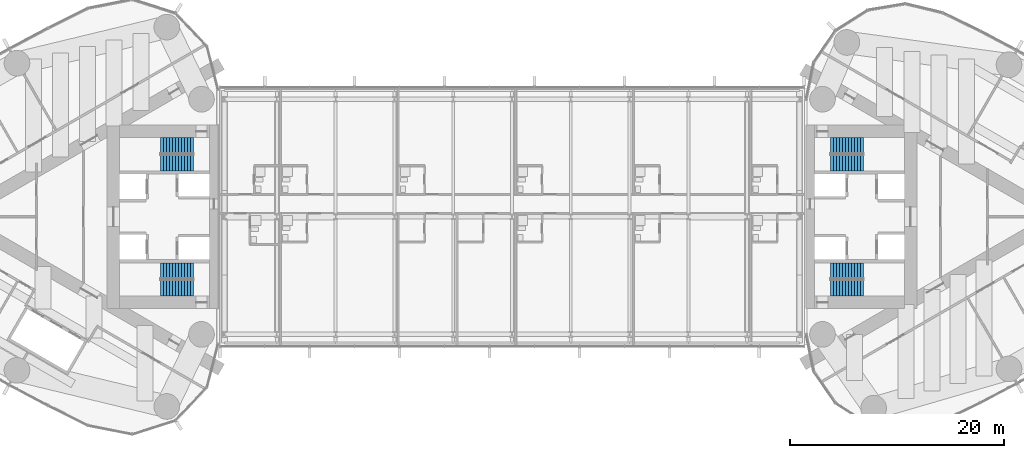
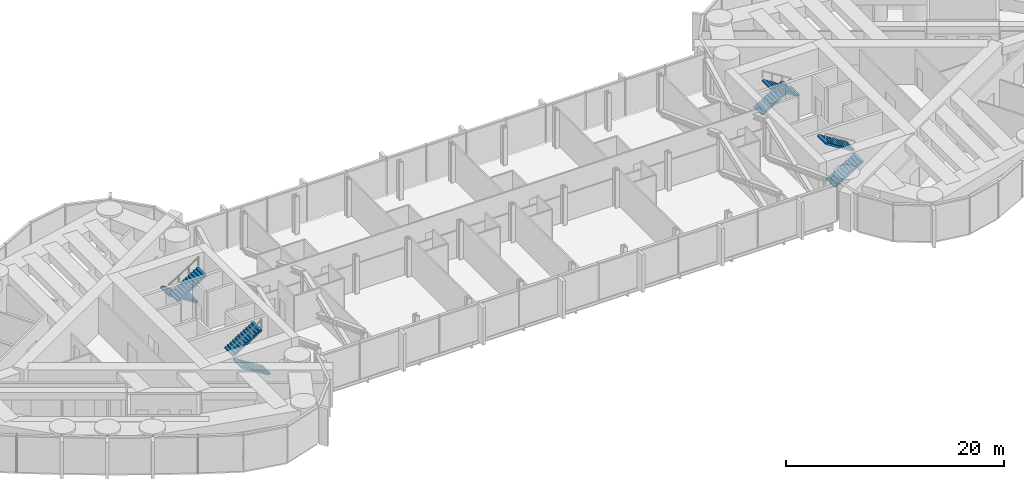
# One storey, part 21 of 23: 8 stair flights, 4 elements without a shape of their own.
"""IFC4 building model written with IfcOpenShell, lengths in metres."""

from ifc_helpers import new_model, si_unit, direction, frame, origin, place, context, subcontext, project, spatial, polyline, outline, extrude, material, type_object, element, aggregate, save


model = new_model("IFC4")

# Units and contexts
model_context = context("Model", 3, precision=1e-05, world=origin(), true_north=direction((0.0, 1.0)))
body_context = subcontext(model_context, "Body", "Model", "MODEL_VIEW")
ifc_project = project(units=[si_unit("LENGTHUNIT", "METRE"), si_unit("AREAUNIT", "SQUARE_METRE"), si_unit("VOLUMEUNIT", "CUBIC_METRE"), si_unit("PLANEANGLEUNIT", "RADIAN"), si_unit("MASSUNIT", "GRAM", prefix="KILO")], contexts=[model_context])

# Site, building, storey
site_placement = place(None, origin())
site = spatial("IfcSite", under=ifc_project, at=site_placement, CompositionType="ELEMENT")
building_placement = place(site_placement, origin())
building = spatial("IfcBuilding", under=site, at=building_placement, Name="Lancet Gate Hotel", CompositionType="ELEMENT")
storey_placement = place(building_placement, frame((0.0, 0.0, 247.699951171875)))
storey = spatial("IfcBuildingStorey", under=building, at=storey_placement, Name="L66", CompositionType="ELEMENT", Elevation=247.699951171875)

# Stair, stair flights
ifc_material_1 = material(Name="Exit stair 24 risers 1500")
stair_type = type_object("IfcStairType", Name="Exit stair 24 risers 1500", PredefinedType="HALF_TURN_STAIR", material=ifc_material_1)
stair_1_placement = place(storey_placement, origin())
stair_1 = element("IfcStair", 1, at=stair_1_placement, inside=storey, type_object=stair_type, Name="T1 stair 1 L66", PredefinedType="HALF_TURN_STAIR")
ifc_material_2 = material(Name="Stair flight 12 risers 175 rise 1500")
stair_flight_type = type_object("IfcStairFlightType", Name="Stair flight 12 risers 175 rise 1500", PredefinedType="STRAIGHT", material=ifc_material_2)
stair_flight_1_placement = place(storey_placement, frame((-29.800048828125, 6.64990234375, 0.0), z_axis=(0.0, 0.0, 1.0), x_axis=(-1.0, 0.0, 0.0)))
stair_flight_1 = element("IfcStairFlight", 2, at=stair_flight_1_placement, type_object=stair_flight_type, Name="ST1 flight 1", NumberOfRisers=12, NumberOfTreads=11, PredefinedType="STRAIGHT", RiserHeight=0.175, TreadLength=0.28, context=body_context, shape_type="SweptSolid", body=[
    extrude(outline(polyline([(0.0, 0.0), (0.0, 0.175048828125), (0.280029296875, 0.175048828125), (0.280029296875, 0.35009765625), (0.56005859375, 0.35009765625), (0.56005859375, 0.52490234375), (0.840087890625, 0.52490234375), (0.840087890625, 0.699951171875), (1.1201171875, 0.699951171875), (1.1201171875, 0.875), (1.39990234375, 0.875), (1.39990234375, 1.050048828125), (1.679931640625, 1.050048828125), (1.679931640625, 1.22509765625), (1.9599609375, 1.22509765625), (1.9599609375, 1.39990234375), (2.239990234375, 1.39990234375), (2.239990234375, 1.574951171875), (2.52001953125, 1.574951171875), (2.52001953125, 1.75), (2.800048828125, 1.75), (2.800048828125, 1.925048828125), (3.080078125, 1.925048828125), (3.080078125, 2.10009765625), (3.080078125, 1.748291015625), (0.28271484375, 0.0), (0.0, 0.0)])), frame((0.0, 0.75, 0.0), z_axis=(0.0, -1.0, 0.0), x_axis=(1.0, 0.0, 0.0)), (0.0, 0.0, 1.0), 1.5),
])
stair_flight_2_placement = place(storey_placement, frame((-32.8798828125, 5.050048828125, 2.10009765625), z_axis=(0.0, 0.0, 1.0), x_axis=(1.0, 0.0, 0.0)))
stair_flight_2 = element("IfcStairFlight", 3, at=stair_flight_2_placement, type_object=stair_flight_type, Name="ST1 flight 2", NumberOfRisers=12, NumberOfTreads=11, PredefinedType="STRAIGHT", RiserHeight=0.175, TreadLength=0.28, context=body_context, shape_type="SweptSolid", body=[
    extrude(outline(polyline([(0.0, 0.0), (0.0, 0.175048828125), (0.280029296875, 0.175048828125), (0.280029296875, 0.35009765625), (0.56005859375, 0.35009765625), (0.56005859375, 0.52490234375), (0.840087890625, 0.52490234375), (0.840087890625, 0.699951171875), (1.1201171875, 0.699951171875), (1.1201171875, 0.875), (1.39990234375, 0.875), (1.39990234375, 1.050048828125), (1.679931640625, 1.050048828125), (1.679931640625, 1.22509765625), (1.9599609375, 1.22509765625), (1.9599609375, 1.39990234375), (2.239990234375, 1.39990234375), (2.239990234375, 1.574951171875), (2.52001953125, 1.574951171875), (2.52001953125, 1.75), (2.800048828125, 1.75), (2.800048828125, 1.925048828125), (3.080078125, 1.925048828125), (3.080078125, 2.10009765625), (3.080078125, 1.748291015625), (0.28271484375, 0.0), (0.0, 0.0)])), frame((0.0, 0.75, 0.0), z_axis=(0.0, -1.0, 0.0), x_axis=(1.0, 0.0, 0.0)), (0.0, 0.0, 1.0), 1.5),
])
aggregate(stair_1, [stair_flight_1, stair_flight_2])

stair_2_placement = place(storey_placement, origin())
stair_2 = element("IfcStair", 4, at=stair_2_placement, inside=storey, type_object=stair_type, Name="T1 stair 2 L66", PredefinedType="HALF_TURN_STAIR")
stair_flight_3_placement = place(storey_placement, frame((-29.800048828125, -6.64990234375, 0.0), z_axis=(0.0, 0.0, 1.0), x_axis=(-1.0, 0.0, 0.0)))
stair_flight_3 = element("IfcStairFlight", 5, at=stair_flight_3_placement, type_object=stair_flight_type, Name="ST2 flight 1", NumberOfRisers=12, NumberOfTreads=11, PredefinedType="STRAIGHT", RiserHeight=0.175, TreadLength=0.28, context=body_context, shape_type="SweptSolid", body=[
    extrude(outline(polyline([(0.0, 0.0), (0.0, 0.175048828125), (0.280029296875, 0.175048828125), (0.280029296875, 0.35009765625), (0.56005859375, 0.35009765625), (0.56005859375, 0.52490234375), (0.840087890625, 0.52490234375), (0.840087890625, 0.699951171875), (1.1201171875, 0.699951171875), (1.1201171875, 0.875), (1.39990234375, 0.875), (1.39990234375, 1.050048828125), (1.679931640625, 1.050048828125), (1.679931640625, 1.22509765625), (1.9599609375, 1.22509765625), (1.9599609375, 1.39990234375), (2.239990234375, 1.39990234375), (2.239990234375, 1.574951171875), (2.52001953125, 1.574951171875), (2.52001953125, 1.75), (2.800048828125, 1.75), (2.800048828125, 1.925048828125), (3.080078125, 1.925048828125), (3.080078125, 2.10009765625), (3.080078125, 1.748291015625), (0.28271484375, 0.0), (0.0, 0.0)])), frame((0.0, 0.75, 0.0), z_axis=(0.0, -1.0, 0.0), x_axis=(1.0, 0.0, 0.0)), (0.0, 0.0, 1.0), 1.5),
])
stair_flight_4_placement = place(storey_placement, frame((-32.8798828125, -5.050048828125, 2.10009765625), z_axis=(0.0, 0.0, 1.0), x_axis=(1.0, 0.0, 0.0)))
stair_flight_4 = element("IfcStairFlight", 6, at=stair_flight_4_placement, type_object=stair_flight_type, Name="ST2 flight 2", NumberOfRisers=12, NumberOfTreads=11, PredefinedType="STRAIGHT", RiserHeight=0.175, TreadLength=0.28, context=body_context, shape_type="SweptSolid", body=[
    extrude(outline(polyline([(0.0, 0.0), (0.0, 0.175048828125), (0.280029296875, 0.175048828125), (0.280029296875, 0.35009765625), (0.56005859375, 0.35009765625), (0.56005859375, 0.52490234375), (0.840087890625, 0.52490234375), (0.840087890625, 0.699951171875), (1.1201171875, 0.699951171875), (1.1201171875, 0.875), (1.39990234375, 0.875), (1.39990234375, 1.050048828125), (1.679931640625, 1.050048828125), (1.679931640625, 1.22509765625), (1.9599609375, 1.22509765625), (1.9599609375, 1.39990234375), (2.239990234375, 1.39990234375), (2.239990234375, 1.574951171875), (2.52001953125, 1.574951171875), (2.52001953125, 1.75), (2.800048828125, 1.75), (2.800048828125, 1.925048828125), (3.080078125, 1.925048828125), (3.080078125, 2.10009765625), (3.080078125, 1.748291015625), (0.28271484375, 0.0), (0.0, 0.0)])), frame((0.0, 0.75, 0.0), z_axis=(0.0, -1.0, 0.0), x_axis=(1.0, 0.0, 0.0)), (0.0, 0.0, 1.0), 1.5),
])
aggregate(stair_2, [stair_flight_3, stair_flight_4])

stair_3_placement = place(storey_placement, origin())
stair_3 = element("IfcStair", 7, at=stair_3_placement, inside=storey, type_object=stair_type, Name="T2 stair 1 L66", PredefinedType="HALF_TURN_STAIR")
stair_flight_5_placement = place(storey_placement, frame((29.800048828125, -6.64990234375, 0.0), z_axis=(0.0, 0.0, 1.0), x_axis=(1.0, 0.0, 0.0)))
stair_flight_5 = element("IfcStairFlight", 8, at=stair_flight_5_placement, type_object=stair_flight_type, Name="ST3 flight 1", NumberOfRisers=12, NumberOfTreads=11, PredefinedType="STRAIGHT", RiserHeight=0.175, TreadLength=0.28, context=body_context, shape_type="SweptSolid", body=[
    extrude(outline(polyline([(0.0, 0.0), (0.0, 0.175048828125), (0.280029296875, 0.175048828125), (0.280029296875, 0.35009765625), (0.56005859375, 0.35009765625), (0.56005859375, 0.52490234375), (0.840087890625, 0.52490234375), (0.840087890625, 0.699951171875), (1.1201171875, 0.699951171875), (1.1201171875, 0.875), (1.39990234375, 0.875), (1.39990234375, 1.050048828125), (1.679931640625, 1.050048828125), (1.679931640625, 1.22509765625), (1.9599609375, 1.22509765625), (1.9599609375, 1.39990234375), (2.239990234375, 1.39990234375), (2.239990234375, 1.574951171875), (2.52001953125, 1.574951171875), (2.52001953125, 1.75), (2.800048828125, 1.75), (2.800048828125, 1.925048828125), (3.080078125, 1.925048828125), (3.080078125, 2.10009765625), (3.080078125, 1.748291015625), (0.28271484375, 0.0), (0.0, 0.0)])), frame((0.0, 0.75, 0.0), z_axis=(0.0, -1.0, 0.0), x_axis=(1.0, 0.0, 0.0)), (0.0, 0.0, 1.0), 1.5),
])
stair_flight_6_placement = place(storey_placement, frame((32.8798828125, -5.050048828125, 2.10009765625), z_axis=(0.0, 0.0, 1.0), x_axis=(-1.0, 0.0, 0.0)))
stair_flight_6 = element("IfcStairFlight", 9, at=stair_flight_6_placement, type_object=stair_flight_type, Name="ST3 flight 2", NumberOfRisers=12, NumberOfTreads=11, PredefinedType="STRAIGHT", RiserHeight=0.175, TreadLength=0.28, context=body_context, shape_type="SweptSolid", body=[
    extrude(outline(polyline([(0.0, 0.0), (0.0, 0.175048828125), (0.280029296875, 0.175048828125), (0.280029296875, 0.35009765625), (0.56005859375, 0.35009765625), (0.56005859375, 0.52490234375), (0.840087890625, 0.52490234375), (0.840087890625, 0.699951171875), (1.1201171875, 0.699951171875), (1.1201171875, 0.875), (1.39990234375, 0.875), (1.39990234375, 1.050048828125), (1.679931640625, 1.050048828125), (1.679931640625, 1.22509765625), (1.9599609375, 1.22509765625), (1.9599609375, 1.39990234375), (2.239990234375, 1.39990234375), (2.239990234375, 1.574951171875), (2.52001953125, 1.574951171875), (2.52001953125, 1.75), (2.800048828125, 1.75), (2.800048828125, 1.925048828125), (3.080078125, 1.925048828125), (3.080078125, 2.10009765625), (3.080078125, 1.748291015625), (0.28271484375, 0.0), (0.0, 0.0)])), frame((0.0, 0.75, 0.0), z_axis=(0.0, -1.0, 0.0), x_axis=(1.0, 0.0, 0.0)), (0.0, 0.0, 1.0), 1.5),
])
aggregate(stair_3, [stair_flight_5, stair_flight_6])

stair_4_placement = place(storey_placement, origin())
stair_4 = element("IfcStair", 10, at=stair_4_placement, inside=storey, type_object=stair_type, Name="T2 stair 2 L66", PredefinedType="HALF_TURN_STAIR")
stair_flight_7_placement = place(storey_placement, frame((29.800048828125, 6.64990234375, 0.0), z_axis=(0.0, 0.0, 1.0), x_axis=(1.0, 0.0, 0.0)))
stair_flight_7 = element("IfcStairFlight", 11, at=stair_flight_7_placement, type_object=stair_flight_type, Name="ST4 flight 1", NumberOfRisers=12, NumberOfTreads=11, PredefinedType="STRAIGHT", RiserHeight=0.175, TreadLength=0.28, context=body_context, shape_type="SweptSolid", body=[
    extrude(outline(polyline([(0.0, 0.0), (0.0, 0.175048828125), (0.280029296875, 0.175048828125), (0.280029296875, 0.35009765625), (0.56005859375, 0.35009765625), (0.56005859375, 0.52490234375), (0.840087890625, 0.52490234375), (0.840087890625, 0.699951171875), (1.1201171875, 0.699951171875), (1.1201171875, 0.875), (1.39990234375, 0.875), (1.39990234375, 1.050048828125), (1.679931640625, 1.050048828125), (1.679931640625, 1.22509765625), (1.9599609375, 1.22509765625), (1.9599609375, 1.39990234375), (2.239990234375, 1.39990234375), (2.239990234375, 1.574951171875), (2.52001953125, 1.574951171875), (2.52001953125, 1.75), (2.800048828125, 1.75), (2.800048828125, 1.925048828125), (3.080078125, 1.925048828125), (3.080078125, 2.10009765625), (3.080078125, 1.748291015625), (0.28271484375, 0.0), (0.0, 0.0)])), frame((0.0, 0.75, 0.0), z_axis=(0.0, -1.0, 0.0), x_axis=(1.0, 0.0, 0.0)), (0.0, 0.0, 1.0), 1.5),
])
stair_flight_8_placement = place(storey_placement, frame((32.8798828125, 5.050048828125, 2.10009765625), z_axis=(0.0, 0.0, 1.0), x_axis=(-1.0, 0.0, 0.0)))
stair_flight_8 = element("IfcStairFlight", 12, at=stair_flight_8_placement, type_object=stair_flight_type, Name="ST4 flight 2", NumberOfRisers=12, NumberOfTreads=11, PredefinedType="STRAIGHT", RiserHeight=0.175, TreadLength=0.28, context=body_context, shape_type="SweptSolid", body=[
    extrude(outline(polyline([(0.0, 0.0), (0.0, 0.175048828125), (0.280029296875, 0.175048828125), (0.280029296875, 0.35009765625), (0.56005859375, 0.35009765625), (0.56005859375, 0.52490234375), (0.840087890625, 0.52490234375), (0.840087890625, 0.699951171875), (1.1201171875, 0.699951171875), (1.1201171875, 0.875), (1.39990234375, 0.875), (1.39990234375, 1.050048828125), (1.679931640625, 1.050048828125), (1.679931640625, 1.22509765625), (1.9599609375, 1.22509765625), (1.9599609375, 1.39990234375), (2.239990234375, 1.39990234375), (2.239990234375, 1.574951171875), (2.52001953125, 1.574951171875), (2.52001953125, 1.75), (2.800048828125, 1.75), (2.800048828125, 1.925048828125), (3.080078125, 1.925048828125), (3.080078125, 2.10009765625), (3.080078125, 1.748291015625), (0.28271484375, 0.0), (0.0, 0.0)])), frame((0.0, 0.75, 0.0), z_axis=(0.0, -1.0, 0.0), x_axis=(1.0, 0.0, 0.0)), (0.0, 0.0, 1.0), 1.5),
])
aggregate(stair_4, [stair_flight_7, stair_flight_8])

save(model, "model.ifc")
